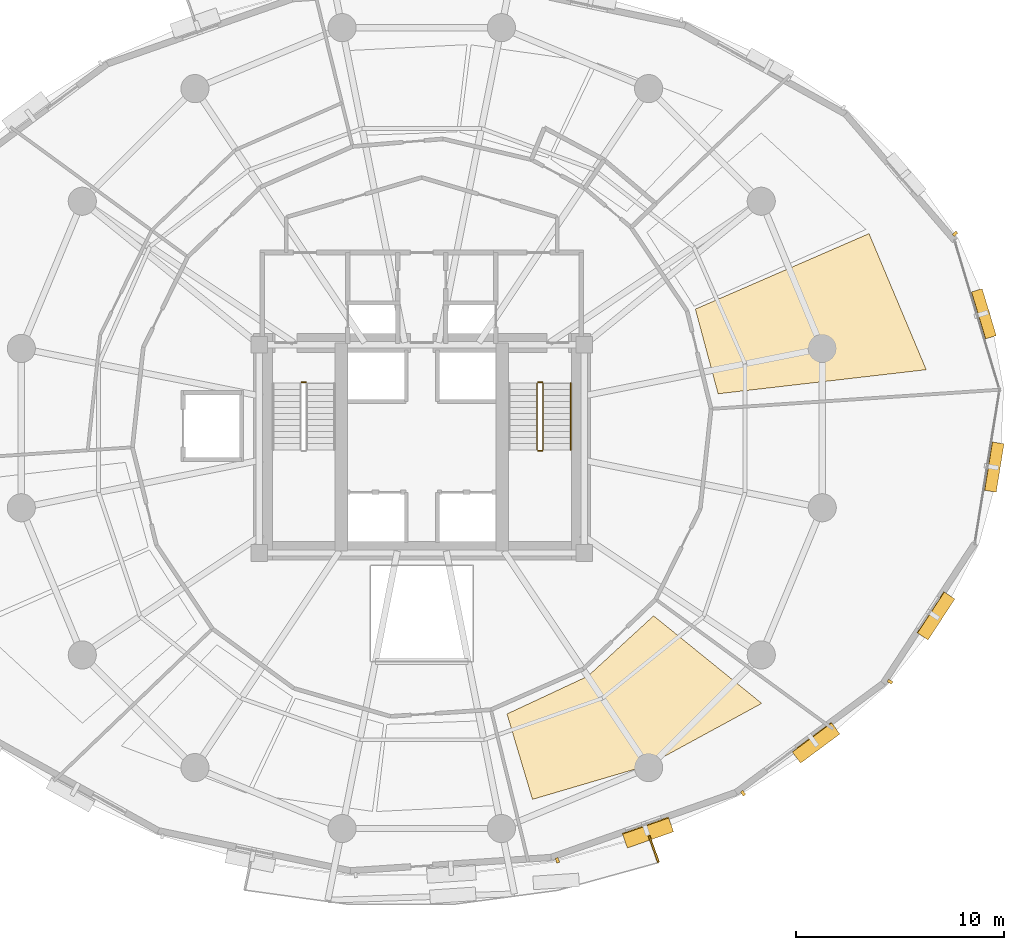
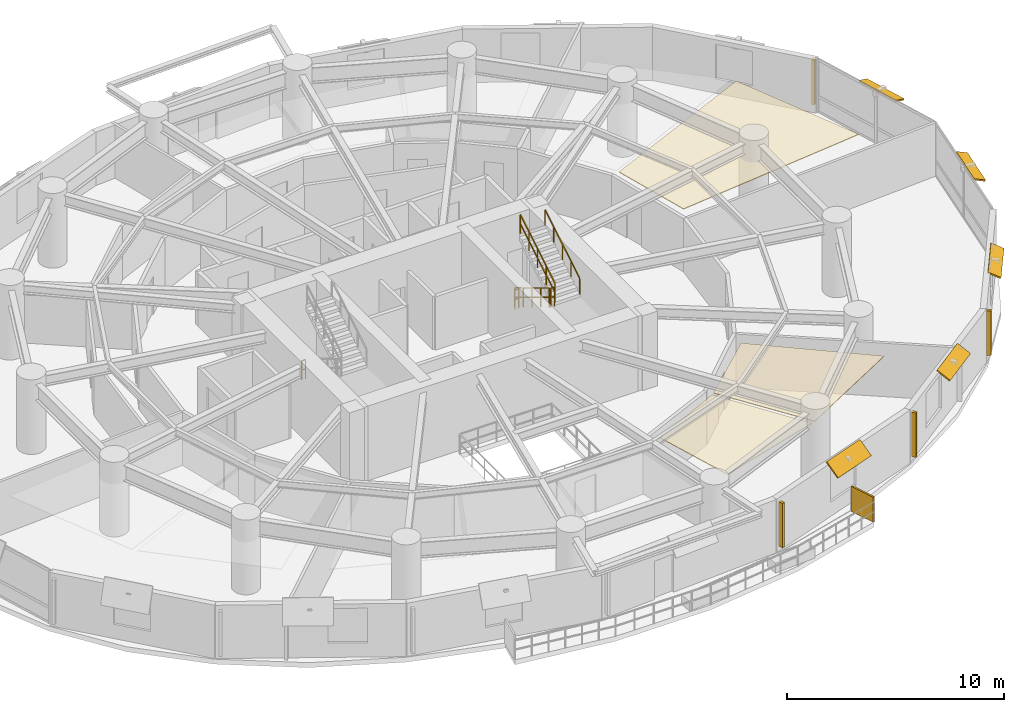
# One storey, part 15 of 16: 10 shading devices, 6 railings, 3 coverings.
"""IFC4 building model written with IfcOpenShell, lengths in metres."""

from ifc_helpers import new_model, si_unit, direction, frame, origin, origin_2d, place, context, subcontext, project, spatial, polyline, rectangle, outline, extrude, material, layer, layer_set, type_object, element, save


model = new_model("IFC4")

# Units and contexts
model_context = context("Model", 3, precision=1e-05, world=origin(), true_north=direction((0.0, 1.0)))
body_context = subcontext(model_context, "Body", "Model", "MODEL_VIEW")
ifc_project = project(units=[si_unit("LENGTHUNIT", "METRE"), si_unit("AREAUNIT", "SQUARE_METRE"), si_unit("VOLUMEUNIT", "CUBIC_METRE"), si_unit("PLANEANGLEUNIT", "RADIAN"), si_unit("MASSUNIT", "GRAM", prefix="KILO"), si_unit("THERMODYNAMICTEMPERATUREUNIT", "KELVIN"), si_unit("POWERUNIT", "WATT")], contexts=[model_context])

# Site, building, storey
site_placement = place(None, origin())
site = spatial("IfcSite", under=ifc_project, at=site_placement, CompositionType="ELEMENT")
building_placement = place(site_placement, origin())
building = spatial("IfcBuilding", under=site, at=building_placement, Name="Ocrelia Relay Tower", CompositionType="ELEMENT")
storey_placement = place(building_placement, frame((0.0, 0.0, 46.800048828125)))
storey = spatial("IfcBuildingStorey", under=building, at=storey_placement, Name="L10", CompositionType="ELEMENT", Elevation=46.800048828125)

# Coverings
ifc_material_1 = material(Name="Mineral-fiber acoustic ceiling tile", Category="gypsum")
ifc_layer_1 = layer(ifc_material_1, 0.0400390625, Name="Mineral-fiber acoustic ceiling tile")
ifc_layer_set_1 = layer_set([ifc_layer_1], Name="Mineral-fiber acoustic ceiling tile")
covering_type = type_object("IfcCoveringType", Name="COV-CEIL-ACOUSTIC", PredefinedType="CEILING", material=ifc_layer_set_1)
covering_1_placement = place(storey_placement, frame((0.0, 0.0, 2.919921875)))
element("IfcCovering", 1, at=covering_1_placement, inside=storey, type_object=covering_type, Name="L10 Monitoring Office E Suspended Ceiling 1", PredefinedType="CEILING", context=body_context, shape_type="SweptSolid", body=[
    extrude(outline(polyline([(38.091064453125, 12.27685546875), (39.313232421875, 8.17724609375), (44.740234375, 9.7734375), (41.90380859375, 14.058837890625), (38.091064453125, 12.27685546875)])), origin(), (0.0, 0.0, 1.0), 0.0400390625),
])
covering_2_placement = place(storey_placement, frame((0.0, 0.0, 2.919921875)))
element("IfcCovering", 2, at=covering_2_placement, inside=storey, type_object=covering_type, Name="L10 Monitoring Office E Suspended Ceiling 2", PredefinedType="CEILING", context=body_context, shape_type="SweptSolid", body=[
    extrude(outline(polyline([(42.0283203125, 14.14208984375), (44.933349609375, 9.851318359375), (50.3193359375, 12.784912109375), (45.128662109375, 16.988037109375), (42.0283203125, 14.14208984375)])), origin(), (0.0, 0.0, 1.0), 0.0400390625),
])
covering_3_placement = place(storey_placement, frame((0.0, 0.0, 2.919921875)))
element("IfcCovering", 3, at=covering_3_placement, inside=storey, type_object=covering_type, Name="L10 Shift Staff Lounge Suspended Ceiling 1", PredefinedType="CEILING", context=body_context, shape_type="SweptSolid", body=[
    extrude(outline(polyline([(48.22509765625, 27.64599609375), (58.21630859375, 28.802001953125), (55.47021484375, 35.33544921875), (47.13232421875, 31.710205078125), (48.22509765625, 27.64599609375)])), origin(), (0.0, 0.0, 1.0), 0.0400390625),
])

# Railings
ifc_material_2 = material(Name="Steel S355 balustrade", Category="steel")
railing_type_1 = type_object("IfcRailingType", Name="RL-STAIR-GUARD", PredefinedType="GUARDRAIL", material=ifc_material_2)
railing_1_placement = place(storey_placement, frame((28.22998046875, 28.199951171875, 0.0)))
element("IfcRailing", 4, at=railing_1_placement, inside=storey, type_object=railing_type_1, Name="L10 ST1 stair guard 4", PredefinedType="GUARDRAIL", context=body_context, shape_type="SweptSolid", body=[
    extrude(rectangle(XDim=0.048095703125, YDim=0.048095703125, at=origin_2d()), frame((0.0, 0.0, 1.076171875), z_axis=(1.0, 0.0, 0.0), x_axis=(0.0, 1.0, 0.0)), (0.0, 0.0, 1.0), 0.199951171875),
    extrude(rectangle(XDim=0.048095703125, YDim=0.048095703125, at=origin_2d()), frame((0.0, 0.0, 0.550048828125), z_axis=(1.0, 0.0, 0.0), x_axis=(0.0, 1.0, 0.0)), (0.0, 0.0, 1.0), 0.199951171875),
    extrude(rectangle(XDim=0.0419921875, YDim=0.0419921875, at=origin_2d()), origin(), (0.0, 0.0, 1.0), 1.052001953125),
    extrude(rectangle(XDim=0.0419921875, YDim=0.0419921875, at=origin_2d()), frame((0.199951171875, 0.0, 0.0)), (0.0, 0.0, 1.0), 1.052001953125),
])
railing_2_placement = place(storey_placement, frame((39.530029296875, 28.14990234375, 0.175048828125)))
element("IfcRailing", 5, at=railing_2_placement, inside=storey, type_object=railing_type_1, Name="L10 ST2 stair guard 1", PredefinedType="GUARDRAIL", context=body_context, shape_type="SweptSolid", body=[
    extrude(rectangle(XDim=0.048095703125, YDim=0.048095703125, at=origin_2d()), frame((0.0, 0.0, 1.076171875), z_axis=(0.0, -0.856206652436, 0.516633495163), x_axis=(1.0, 0.0, 0.0)), (0.0, 0.0, 1.0), 3.7255859375),
    extrude(rectangle(XDim=0.048095703125, YDim=0.048095703125, at=origin_2d()), frame((0.0, 0.0, 0.550048828125), z_axis=(0.0, -0.856206652436, 0.516633495163), x_axis=(1.0, 0.0, 0.0)), (0.0, 0.0, 1.0), 3.7255859375),
    extrude(rectangle(XDim=0.0419921875, YDim=0.0419921875, at=origin_2d()), origin(), (0.0, 0.0, 1.0), 1.052001953125),
    extrude(rectangle(XDim=0.0419921875, YDim=0.0419921875, at=origin_2d()), frame((0.0, -0.79736328125, 0.481201171875)), (0.0, 0.0, 1.0), 1.052001953125),
    extrude(rectangle(XDim=0.0419921875, YDim=0.0419921875, at=origin_2d()), frame((0.0, -1.594970703125, 0.96240234375)), (0.0, 0.0, 1.0), 1.052001953125),
    extrude(rectangle(XDim=0.0419921875, YDim=0.0419921875, at=origin_2d()), frame((0.0, -2.392578125, 1.443603515625)), (0.0, 0.0, 1.0), 1.052001953125),
    extrude(rectangle(XDim=0.0419921875, YDim=0.0419921875, at=origin_2d()), frame((0.0, -3.18994140625, 1.9248046875)), (0.0, 0.0, 1.0), 1.052001953125),
])
railing_3_placement = place(storey_placement, frame((39.580078125, 24.909912109375, 2.099853515625)))
element("IfcRailing", 6, at=railing_3_placement, inside=storey, type_object=railing_type_1, Name="L10 ST2 stair guard 2", PredefinedType="GUARDRAIL", context=body_context, shape_type="SweptSolid", body=[
    extrude(rectangle(XDim=0.048095703125, YDim=0.048095703125, at=origin_2d()), frame((0.0, 0.0, 1.076171875), z_axis=(1.0, 0.0, 0.0), x_axis=(0.0, 1.0, 0.0)), (0.0, 0.0, 1.0), 0.199951171875),
    extrude(rectangle(XDim=0.048095703125, YDim=0.048095703125, at=origin_2d()), frame((0.0, 0.0, 0.550048828125), z_axis=(1.0, 0.0, 0.0), x_axis=(0.0, 1.0, 0.0)), (0.0, 0.0, 1.0), 0.199951171875),
    extrude(rectangle(XDim=0.0419921875, YDim=0.0419921875, at=origin_2d()), origin(), (0.0, 0.0, 1.0), 1.052001953125),
    extrude(rectangle(XDim=0.0419921875, YDim=0.0419921875, at=origin_2d()), frame((0.199951171875, 0.0, 0.0)), (0.0, 0.0, 1.0), 1.052001953125),
])
railing_4_placement = place(storey_placement, frame((39.830078125, 24.9599609375, 2.27490234375)))
element("IfcRailing", 7, at=railing_4_placement, inside=storey, type_object=railing_type_1, Name="L10 ST2 stair guard 3", PredefinedType="GUARDRAIL", context=body_context, shape_type="SweptSolid", body=[
    extrude(rectangle(XDim=0.048095703125, YDim=0.048095703125, at=origin_2d()), frame((0.0, 0.0, 1.076171875), z_axis=(0.0, 0.856177665481, 0.516681531633), x_axis=(-1.0, 0.0, 0.0)), (0.0, 0.0, 1.0), 3.725830078125),
    extrude(rectangle(XDim=0.048095703125, YDim=0.048095703125, at=origin_2d()), frame((0.0, 0.0, 0.550048828125), z_axis=(0.0, 0.856177665481, 0.516681531633), x_axis=(-1.0, 0.0, 0.0)), (0.0, 0.0, 1.0), 3.725830078125),
    extrude(rectangle(XDim=0.0419921875, YDim=0.0419921875, at=origin_2d()), origin(), (0.0, 0.0, 1.0), 1.052001953125),
    extrude(rectangle(XDim=0.0419921875, YDim=0.0419921875, at=origin_2d()), frame((0.0, 0.79736328125, 0.481201171875)), (0.0, 0.0, 1.0), 1.052001953125),
    extrude(rectangle(XDim=0.0419921875, YDim=0.0419921875, at=origin_2d()), frame((0.0, 1.594970703125, 0.96240234375)), (0.0, 0.0, 1.0), 1.052001953125),
    extrude(rectangle(XDim=0.0419921875, YDim=0.0419921875, at=origin_2d()), frame((0.0, 2.392578125, 1.44384765625)), (0.0, 0.0, 1.0), 1.052001953125),
    extrude(rectangle(XDim=0.0419921875, YDim=0.0419921875, at=origin_2d()), frame((0.0, 3.18994140625, 1.925048828125)), (0.0, 0.0, 1.0), 1.052001953125),
])
railing_5_placement = place(storey_placement, frame((39.580078125, 28.199951171875, 0.0)))
element("IfcRailing", 8, at=railing_5_placement, inside=storey, type_object=railing_type_1, Name="L10 ST2 stair guard 4", PredefinedType="GUARDRAIL", context=body_context, shape_type="SweptSolid", body=[
    extrude(rectangle(XDim=0.048095703125, YDim=0.048095703125, at=origin_2d()), frame((0.0, 0.0, 1.076171875), z_axis=(1.0, 0.0, 0.0), x_axis=(0.0, 1.0, 0.0)), (0.0, 0.0, 1.0), 0.199951171875),
    extrude(rectangle(XDim=0.048095703125, YDim=0.048095703125, at=origin_2d()), frame((0.0, 0.0, 0.550048828125), z_axis=(1.0, 0.0, 0.0), x_axis=(0.0, 1.0, 0.0)), (0.0, 0.0, 1.0), 0.199951171875),
    extrude(rectangle(XDim=0.0419921875, YDim=0.0419921875, at=origin_2d()), origin(), (0.0, 0.0, 1.0), 1.052001953125),
    extrude(rectangle(XDim=0.0419921875, YDim=0.0419921875, at=origin_2d()), frame((0.199951171875, 0.0, 0.0)), (0.0, 0.0, 1.0), 1.052001953125),
])
ifc_material_3 = material(Name="Steel S355 tubular handrail", Category="steel")
railing_type_2 = type_object("IfcRailingType", Name="RL-STAIR-HAND", PredefinedType="HANDRAIL", material=ifc_material_3)
railing_6_placement = place(storey_placement, frame((41.14990234375, 24.9599609375, 2.27490234375)))
element("IfcRailing", 9, at=railing_6_placement, inside=storey, type_object=railing_type_2, Name="L10 ST2 stair handrail 2", PredefinedType="HANDRAIL", context=body_context, shape_type="SweptSolid", body=[
    extrude(rectangle(XDim=0.048095703125, YDim=0.048095703125, at=origin_2d()), frame((0.0, 0.0, 0.8759765625), z_axis=(0.0, 0.856177665481, 0.516681531633), x_axis=(-1.0, 0.0, 0.0)), (0.0, 0.0, 1.0), 3.725830078125),
    extrude(rectangle(XDim=0.0419921875, YDim=0.0419921875, at=origin_2d()), origin(), (0.0, 0.0, 1.0), 0.851806640625),
    extrude(rectangle(XDim=0.0419921875, YDim=0.0419921875, at=origin_2d()), frame((0.0, 0.79736328125, 0.481201171875)), (0.0, 0.0, 1.0), 0.851806640625),
    extrude(rectangle(XDim=0.0419921875, YDim=0.0419921875, at=origin_2d()), frame((0.0, 1.594970703125, 0.96240234375)), (0.0, 0.0, 1.0), 0.851806640625),
    extrude(rectangle(XDim=0.0419921875, YDim=0.0419921875, at=origin_2d()), frame((0.0, 2.392578125, 1.44384765625)), (0.0, 0.0, 1.0), 0.851806640625),
    extrude(rectangle(XDim=0.0419921875, YDim=0.0419921875, at=origin_2d()), frame((0.0, 3.18994140625, 1.925048828125)), (0.0, 0.0, 1.0), 0.851806640625),
])

# Shading devices
ifc_material_4 = material(Name="Perforated oxide terracotta solar screen", Category="masonry")
ifc_layer_2 = layer(ifc_material_4, 0.090087890625, Name="Perforated oxide terracotta solar screen")
ifc_layer_set_2 = layer_set([ifc_layer_2], Name="Perforated oxide terracotta solar screen")
shading_device_type_1 = type_object("IfcShadingDeviceType", Name="SH-BALC-SCREEN", PredefinedType="USERDEFINED", material=ifc_layer_set_2)
shading_device_1_placement = place(storey_placement, frame((45.13671875, 5.790283203125, 0.0), z_axis=(0.0, 0.0, 1.0), x_axis=(0.333206739636, -0.942853789652, 0.0)))
element("IfcShadingDevice", 10, at=shading_device_1_placement, inside=storey, type_object=shading_device_type_1, Name="L10 Balcony Perforated Terracotta Screen B2-2", ObjectType="SCREEN", PredefinedType="USERDEFINED", context=body_context, shape_type="SweptSolid", body=[
    extrude(rectangle(XDim=1.340087890625, YDim=0.090087890625, at=origin_2d()), origin(), (0.0, 0.0, 1.0), 1.39990234375),
])
ifc_material_5 = material(Name="Extruded oxide terracotta vertical baguette", Category="masonry")
shading_device_type_2 = type_object("IfcShadingDeviceType", Name="SH-TERR-BAGUETTE", PredefinedType="USERDEFINED", material=ifc_material_5)
for number, where, z_axis, x_axis, name in (
    (11, (59.6005859375, 35.332275390625, 0.25), (0.0, 0.0, 1.0), (-0.653415692104, 0.75699929545, 0.0), "L10 Oxide Terracotta Vertical Baguette 02"),
    (12, (40.509765625, 5.252197265625, 0.25), (0.0, 0.0, 1.0), (0.943325809614, 0.331868071553, 0.0), "L10 Oxide Terracotta Vertical Baguette 15"),
    (13, (49.421875, 8.473388671875, 0.25), (0.0, 0.0, 1.0), (0.80346672279, 0.595349666472, 0.0), "L10 Oxide Terracotta Vertical Baguette 16"),
    (14, (56.48046875, 13.824951171875, 0.25), (0.0, 0.0, 1.0), (0.547550950687, 0.836772344429, 0.0), "L10 Oxide Terracotta Vertical Baguette 17"),
):
    element("IfcShadingDevice", number, at=place(storey_placement, frame(where, z_axis=z_axis, x_axis=x_axis)), inside=storey, type_object=shading_device_type_2, Name=name, ObjectType="BAGUETTE", PredefinedType="USERDEFINED", context=body_context, shape_type="SweptSolid", body=[
        extrude(rectangle(XDim=0.139892578125, YDim=0.239990234375, at=origin_2d()), origin(), (0.0, 0.0, 1.0), 2.5),
    ])
ifc_material_6 = material(Name="Extruded oxide terracotta fin", Category="masonry")
ifc_layer_3 = layer(ifc_material_6, 0.080078125, Name="Extruded oxide terracotta fin")
ifc_layer_set_3 = layer_set([ifc_layer_3], Name="Extruded oxide terracotta fin")
shading_device_type_3 = type_object("IfcShadingDeviceType", Name="SH-VISOR-FIN-MED", PredefinedType="USERDEFINED", material=ifc_layer_set_3)
shading_device_2_placement = place(storey_placement, frame((44.844970703125, 6.6123046875, 2.809326171875), z_axis=(0.214383707964, -0.609379757253, 0.763345228065), x_axis=(0.943325809614, 0.331868071553, 0.0)))
element("IfcShadingDevice", 15, at=shading_device_2_placement, inside=storey, type_object=shading_device_type_3, Name="L10 Canted Terracotta Sun-Visor Fin 15", ObjectType="FIN", PredefinedType="USERDEFINED", context=body_context, shape_type="SweptSolid", body=[
    extrude(rectangle(XDim=2.35009765625, YDim=0.9208984375, at=origin_2d()), origin(), (0.0, 0.0, 1.0), 0.080078125),
])
ifc_layer_4 = layer(ifc_material_6, 0.080078125, Name="Extruded oxide terracotta fin")
ifc_layer_set_4 = layer_set([ifc_layer_4], Name="Extruded oxide terracotta fin")
shading_device_type_4 = type_object("IfcShadingDeviceType", Name="SH-VISOR-FIN-SHAL", PredefinedType="USERDEFINED", material=ifc_layer_set_4)
shading_device_3_placement = place(storey_placement, frame((60.95947265625, 31.48095703125, 2.802001953125), z_axis=(0.306359785031, 0.092264461446, 0.947433876991), x_axis=(-0.288370026457, 0.957519048291, 0.0)))
element("IfcShadingDevice", 16, at=shading_device_3_placement, inside=storey, type_object=shading_device_type_4, Name="L10 Canted Terracotta Sun-Visor Fin 01", ObjectType="FIN", PredefinedType="USERDEFINED", context=body_context, shape_type="SweptSolid", body=[
    extrude(rectangle(XDim=2.35009765625, YDim=0.56103515625, at=origin_2d()), origin(), (0.0, 0.0, 1.0), 0.080078125),
])
shading_device_4_placement = place(storey_placement, frame((52.90576171875, 10.9150390625, 2.8056640625), z_axis=(0.309561843203, -0.417775726881, 0.854186693447), x_axis=(0.80346672279, 0.595349666472, 0.0)))
element("IfcShadingDevice", 17, at=shading_device_4_placement, inside=storey, type_object=shading_device_type_4, Name="L10 Canted Terracotta Sun-Visor Fin 16", ObjectType="FIN", PredefinedType="USERDEFINED", context=body_context, shape_type="SweptSolid", body=[
    extrude(rectangle(XDim=2.35009765625, YDim=0.77197265625, at=origin_2d()), origin(), (0.0, 0.0, 1.0), 0.080078125),
])
shading_device_5_placement = place(storey_placement, frame((58.664306640625, 16.99658203125, 2.803466796875), z_axis=(0.354296944482, -0.231838002377, 0.90593863798), x_axis=(0.547550950687, 0.836772344429, 0.0)))
element("IfcShadingDevice", 18, at=shading_device_5_placement, inside=storey, type_object=shading_device_type_4, Name="L10 Canted Terracotta Sun-Visor Fin 17", ObjectType="FIN", PredefinedType="USERDEFINED", context=body_context, shape_type="SweptSolid", body=[
    extrude(rectangle(XDim=2.35009765625, YDim=0.6669921875, at=origin_2d()), origin(), (0.0, 0.0, 1.0), 0.080078125),
])
shading_device_6_placement = place(storey_placement, frame((61.45703125, 24.13232421875, 2.802490234375), z_axis=(0.353636507112, -0.057026707922, 0.933642959284), x_axis=(0.159201315878, 0.987246140039, 0.0)))
element("IfcShadingDevice", 19, at=shading_device_6_placement, inside=storey, type_object=shading_device_type_4, Name="L10 Canted Terracotta Sun-Visor Fin 18", ObjectType="FIN", PredefinedType="USERDEFINED", context=body_context, shape_type="SweptSolid", body=[
    extrude(rectangle(XDim=2.35009765625, YDim=0.60009765625, at=origin_2d()), origin(), (0.0, 0.0, 1.0), 0.080078125),
])

save(model, "model.ifc")
